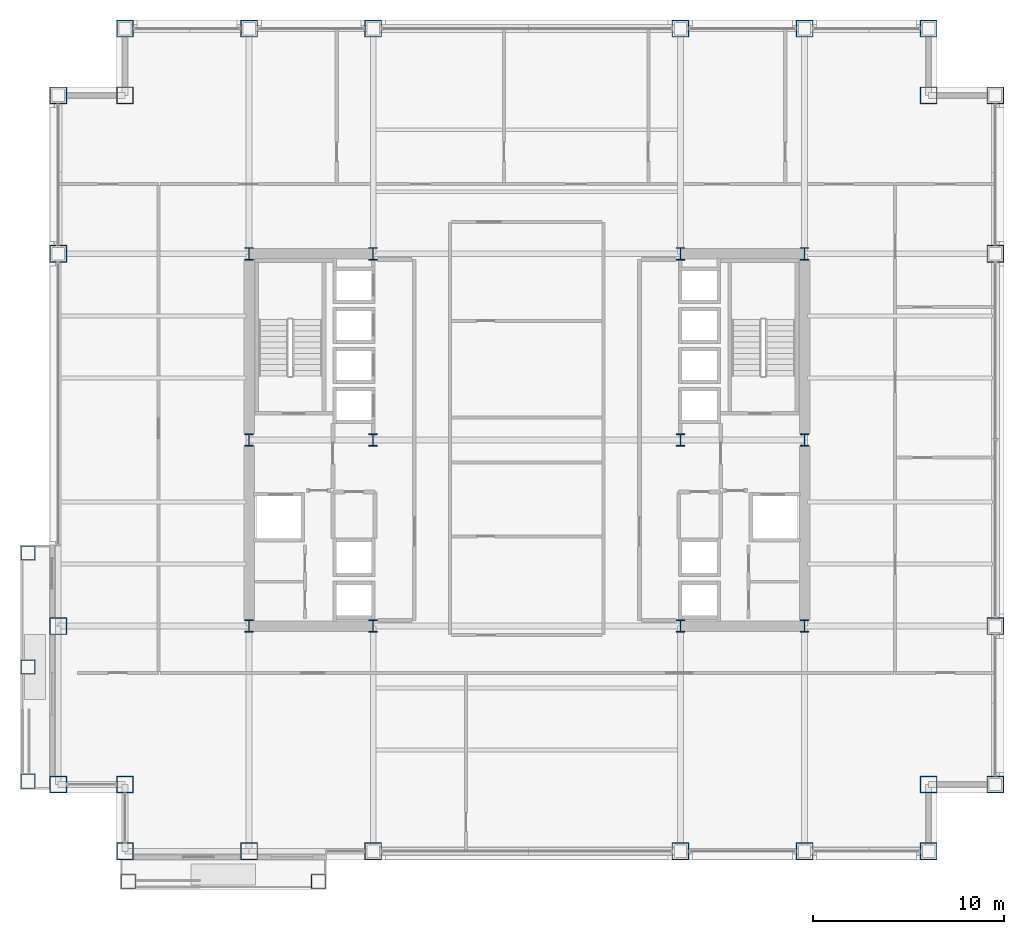
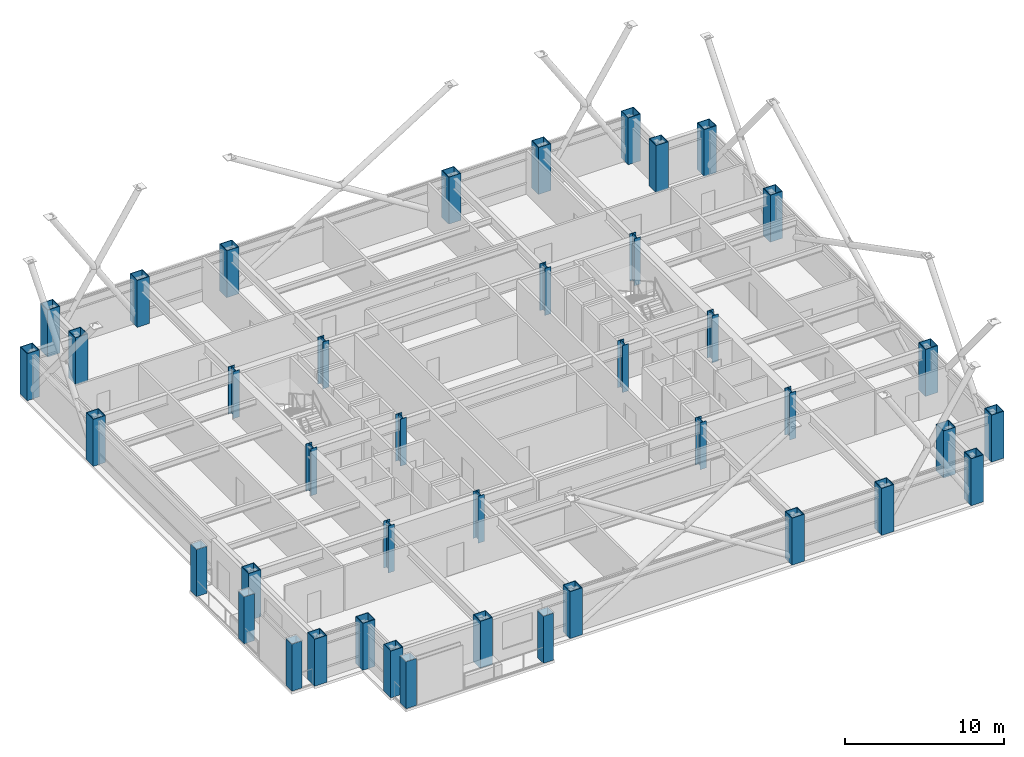
# One storey, part 1 of 29: 41 columns.
"""IFC4 building model written with IfcOpenShell, lengths in metres."""

from ifc_helpers import new_model, si_unit, direction, frame, origin, origin_2d, place, context, subcontext, project, spatial, hollow_rectangle, i_section, extrude, material, material_profile, profile_set, type_object, element, save


model = new_model("IFC4")

# Units and contexts
model_context = context("Model", 3, precision=1e-05, world=origin(), true_north=direction((0.0, 1.0)))
body_context = subcontext(model_context, "Body", "Model", "MODEL_VIEW")
ifc_project = project(units=[si_unit("LENGTHUNIT", "METRE"), si_unit("AREAUNIT", "SQUARE_METRE"), si_unit("VOLUMEUNIT", "CUBIC_METRE"), si_unit("PLANEANGLEUNIT", "RADIAN"), si_unit("MASSUNIT", "GRAM", prefix="KILO")], contexts=[model_context])

# Site, building, storey
site_placement = place(None, origin())
site = spatial("IfcSite", under=ifc_project, at=site_placement, CompositionType="ELEMENT")
building_placement = place(site_placement, origin())
building = spatial("IfcBuilding", under=site, at=building_placement, Name="Brelmoor Portico Tower", CompositionType="ELEMENT")
storey_placement = place(building_placement, frame((0.0, 0.0, 67.199951171875)))
storey = spatial("IfcBuildingStorey", under=building, at=storey_placement, Name="L17", CompositionType="ELEMENT", Elevation=67.199951171875)

# Columns
ifc_material = material(Name="Steel Q355B", Category="steel")
ifc_material_profile_1 = material_profile(ifc_material, hollow_rectangle(XDim=0.75, YDim=0.75, WallThickness=0.031982421875, at=origin_2d()), Name="BOX 750x750x32")
ifc_profile_set_1 = profile_set([ifc_material_profile_1], Name="Steel Q355B")
column_type_1 = type_object("IfcColumnType", Name="COL-MEGA-750", PredefinedType="COLUMN", material=ifc_profile_set_1)
for number, where, z_axis, x_axis, name in (
    (1, (-26.1298828125, -17.8798828125, 0.0), (0.0, 0.0, 1.0), (0.0, 1.0, 0.0), "L17 Proud Picture-Frame Pier PFJ-W1"),
    (2, (-26.1298828125, -5.919921875, 0.0), (0.0, 0.0, 1.0), (0.0, 1.0, 0.0), "L17 Proud Picture-Frame Pier PFJ-W2"),
    (3, (-26.1298828125, -11.89990234375, 0.0), (0.0, 0.0, 1.0), (0.0, 1.0, 0.0), "L17 Proud Picture-Frame Pier PFJ-W3"),
    (4, (-20.8798828125, -23.1298828125, 0.0), (0.0, 0.0, 1.0), (1.0, 0.0, 0.0), "L17 Proud Picture-Frame Pier PFJ-S1"),
    (5, (-10.919921875, -23.1298828125, 0.0), (0.0, 0.0, 1.0), (1.0, 0.0, 0.0), "L17 Proud Picture-Frame Pier PFJ-S2"),
):
    element("IfcColumn", number, at=place(storey_placement, frame(where, z_axis=z_axis, x_axis=x_axis)), inside=storey, type_object=column_type_1, Name=name, PredefinedType="COLUMN", context=body_context, shape_type="SweptSolid", body=[
        extrude(hollow_rectangle(XDim=0.75, YDim=0.75, WallThickness=0.031982421875, at=origin_2d()), origin(), (0.0, 0.0, 1.0), 3.60009765625),
    ])
ifc_material_profile_2 = material_profile(ifc_material, hollow_rectangle(XDim=0.89990234375, YDim=0.89990234375, WallThickness=0.044921875, at=origin_2d()), Name="BOX 900x900x45")
ifc_profile_set_2 = profile_set([ifc_material_profile_2], Name="Steel Q355B")
column_type_2 = type_object("IfcColumnType", Name="COL-MEGA-900", PredefinedType="COLUMN", material=ifc_profile_set_2)
for number, where, z_axis, x_axis, name in (
    (6, (-21.050048828125, -21.550048828125, 0.0), (0.0, 0.0, 1.0), (1.0, 0.0, 0.0), "L17 Perimeter Mega-Column PS01"),
    (7, (-14.550048828125, -21.550048828125, 0.0), (0.0, 0.0, 1.0), (1.0, 0.0, 0.0), "L17 Perimeter Mega-Column PS02"),
    (8, (-8.050048828125, -21.550048828125, 0.0), (0.0, 0.0, 1.0), (1.0, 0.0, 0.0), "L17 Perimeter Mega-Column PS03"),
    (9, (8.050048828125, -21.550048828125, 0.0), (0.0, 0.0, 1.0), (1.0, 0.0, 0.0), "L17 Perimeter Mega-Column PS04"),
    (10, (14.550048828125, -21.550048828125, 0.0), (0.0, 0.0, 1.0), (1.0, 0.0, 0.0), "L17 Perimeter Mega-Column PS05"),
    (11, (21.050048828125, -21.550048828125, 0.0), (0.0, 0.0, 1.0), (1.0, 0.0, 0.0), "L17 Perimeter Mega-Column PS06"),
    (12, (-21.050048828125, 21.550048828125, 0.0), (0.0, 0.0, 1.0), (1.0, 0.0, 0.0), "L17 Perimeter Mega-Column PN01"),
    (13, (-14.550048828125, 21.550048828125, 0.0), (0.0, 0.0, 1.0), (1.0, 0.0, 0.0), "L17 Perimeter Mega-Column PN02"),
    (14, (-8.050048828125, 21.550048828125, 0.0), (0.0, 0.0, 1.0), (1.0, 0.0, 0.0), "L17 Perimeter Mega-Column PN03"),
    (15, (8.050048828125, 21.550048828125, 0.0), (0.0, 0.0, 1.0), (1.0, 0.0, 0.0), "L17 Perimeter Mega-Column PN04"),
    (16, (14.550048828125, 21.550048828125, 0.0), (0.0, 0.0, 1.0), (1.0, 0.0, 0.0), "L17 Perimeter Mega-Column PN05"),
    (17, (21.050048828125, 21.550048828125, 0.0), (0.0, 0.0, 1.0), (1.0, 0.0, 0.0), "L17 Perimeter Mega-Column PN06"),
    (18, (-24.550048828125, -18.050048828125, 0.0), (0.0, 0.0, 1.0), (0.0, 1.0, 0.0), "L17 Perimeter Mega-Column PW01"),
    (19, (-24.550048828125, -9.75, 0.0), (0.0, 0.0, 1.0), (0.0, 1.0, 0.0), "L17 Perimeter Mega-Column PW02"),
    (20, (-24.550048828125, 9.75, 0.0), (0.0, 0.0, 1.0), (0.0, 1.0, 0.0), "L17 Perimeter Mega-Column PW03"),
    (21, (-24.550048828125, 18.050048828125, 0.0), (0.0, 0.0, 1.0), (0.0, 1.0, 0.0), "L17 Perimeter Mega-Column PW04"),
    (22, (24.550048828125, -18.050048828125, 0.0), (0.0, 0.0, 1.0), (0.0, 1.0, 0.0), "L17 Perimeter Mega-Column PE01"),
    (23, (24.550048828125, -9.75, 0.0), (0.0, 0.0, 1.0), (0.0, 1.0, 0.0), "L17 Perimeter Mega-Column PE02"),
    (24, (24.550048828125, 9.75, 0.0), (0.0, 0.0, 1.0), (0.0, 1.0, 0.0), "L17 Perimeter Mega-Column PE03"),
    (25, (24.550048828125, 18.050048828125, 0.0), (0.0, 0.0, 1.0), (0.0, 1.0, 0.0), "L17 Perimeter Mega-Column PE04"),
    (26, (-21.050048828125, 18.050048828125, 0.0), (0.0, 0.0, 1.0), (1.0, 0.0, 0.0), "L17 Perimeter Mega-Column PC-NW"),
    (27, (21.050048828125, 18.050048828125, 0.0), (0.0, 0.0, 1.0), (1.0, 0.0, 0.0), "L17 Perimeter Mega-Column PC-NE"),
    (28, (21.050048828125, -18.050048828125, 0.0), (0.0, 0.0, 1.0), (1.0, 0.0, 0.0), "L17 Perimeter Mega-Column PC-SE"),
    (29, (-21.050048828125, -18.050048828125, 0.0), (0.0, 0.0, 1.0), (1.0, 0.0, 0.0), "L17 Perimeter Mega-Column PC-SW"),
):
    element("IfcColumn", number, at=place(storey_placement, frame(where, z_axis=z_axis, x_axis=x_axis)), inside=storey, type_object=column_type_2, Name=name, PredefinedType="COLUMN", context=body_context, shape_type="SweptSolid", body=[
        extrude(hollow_rectangle(XDim=0.89990234375, YDim=0.89990234375, WallThickness=0.044921875, at=origin_2d()), origin(), (0.0, 0.0, 1.0), 3.60009765625),
    ])
ifc_material_profile_3 = material_profile(ifc_material, i_section(OverallWidth=0.449951171875, OverallDepth=0.64990234375, WebThickness=0.02490234375, FlangeThickness=0.0400390625, at=origin_2d()), Name="HW 650x450x25x40")
ifc_profile_set_3 = profile_set([ifc_material_profile_3], Name="Steel Q355B")
column_type_3 = type_object("IfcColumnType", Name="COL-SPINE-650", PredefinedType="COLUMN", material=ifc_profile_set_3)
for number, where, z_axis, x_axis, name in (
    (30, (-14.550048828125, -9.75, 0.0), (0.0, 0.0, 1.0), (1.0, 0.0, 0.0), "L17 Core Spine Column CW-SW"),
    (31, (-14.550048828125, 0.0, 0.0), (0.0, 0.0, 1.0), (1.0, 0.0, 0.0), "L17 Core Spine Column CW-MW"),
    (32, (-14.550048828125, 9.75, 0.0), (0.0, 0.0, 1.0), (1.0, 0.0, 0.0), "L17 Core Spine Column CW-NW"),
    (33, (-8.050048828125, -9.75, 0.0), (0.0, 0.0, 1.0), (1.0, 0.0, 0.0), "L17 Core Spine Column CW-SE"),
    (34, (-8.050048828125, 0.0, 0.0), (0.0, 0.0, 1.0), (1.0, 0.0, 0.0), "L17 Core Spine Column CW-ME"),
    (35, (-8.050048828125, 9.75, 0.0), (0.0, 0.0, 1.0), (1.0, 0.0, 0.0), "L17 Core Spine Column CW-NE"),
    (36, (8.050048828125, -9.75, 0.0), (0.0, 0.0, 1.0), (1.0, 0.0, 0.0), "L17 Core Spine Column CE-SW"),
    (37, (8.050048828125, 0.0, 0.0), (0.0, 0.0, 1.0), (1.0, 0.0, 0.0), "L17 Core Spine Column CE-MW"),
    (38, (8.050048828125, 9.75, 0.0), (0.0, 0.0, 1.0), (1.0, 0.0, 0.0), "L17 Core Spine Column CE-NW"),
    (39, (14.550048828125, -9.75, 0.0), (0.0, 0.0, 1.0), (1.0, 0.0, 0.0), "L17 Core Spine Column CE-SE"),
    (40, (14.550048828125, 0.0, 0.0), (0.0, 0.0, 1.0), (1.0, 0.0, 0.0), "L17 Core Spine Column CE-ME"),
    (41, (14.550048828125, 9.75, 0.0), (0.0, 0.0, 1.0), (1.0, 0.0, 0.0), "L17 Core Spine Column CE-NE"),
):
    element("IfcColumn", number, at=place(storey_placement, frame(where, z_axis=z_axis, x_axis=x_axis)), inside=storey, type_object=column_type_3, Name=name, PredefinedType="COLUMN", context=body_context, shape_type="SweptSolid", body=[
        extrude(i_section(OverallWidth=0.449951171875, OverallDepth=0.64990234375, WebThickness=0.02490234375, FlangeThickness=0.0400390625, at=origin_2d()), origin(), (0.0, 0.0, 1.0), 3.60009765625),
    ])

save(model, "model.ifc")
